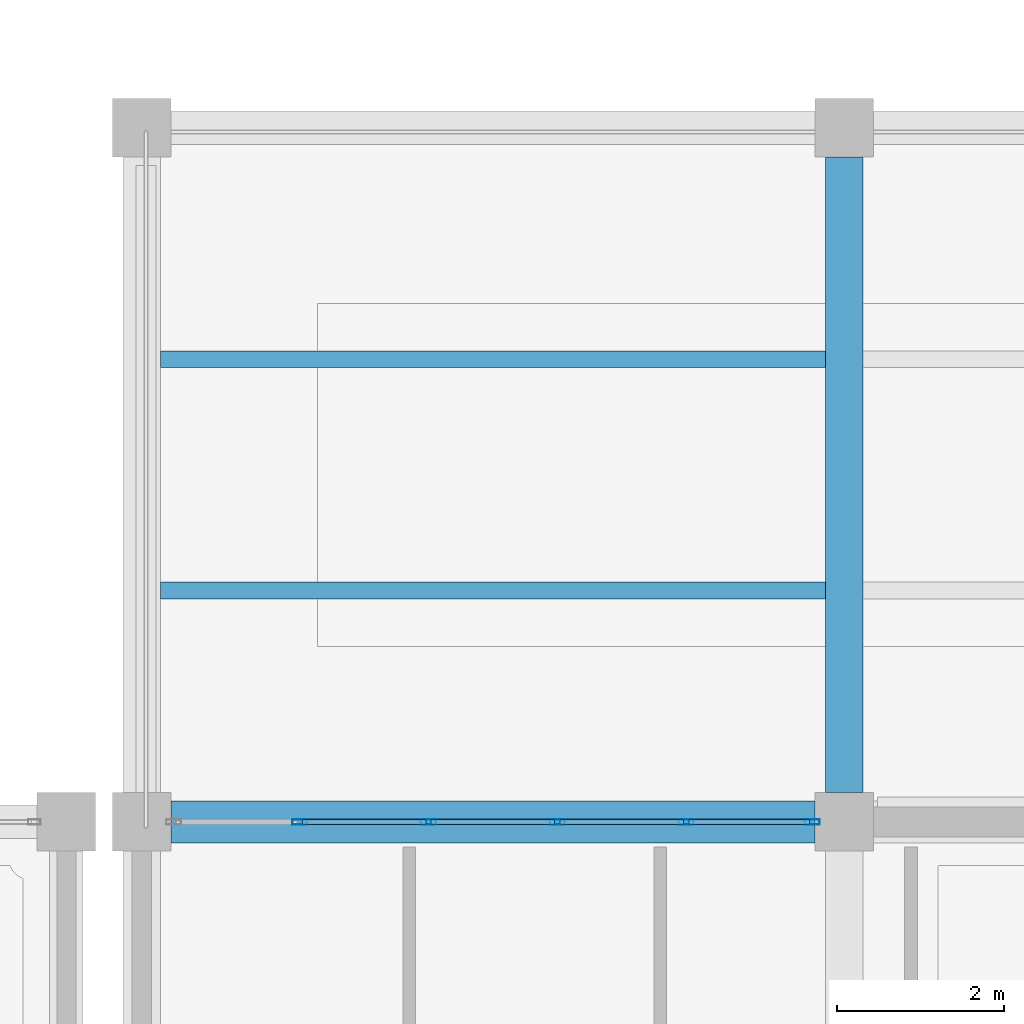
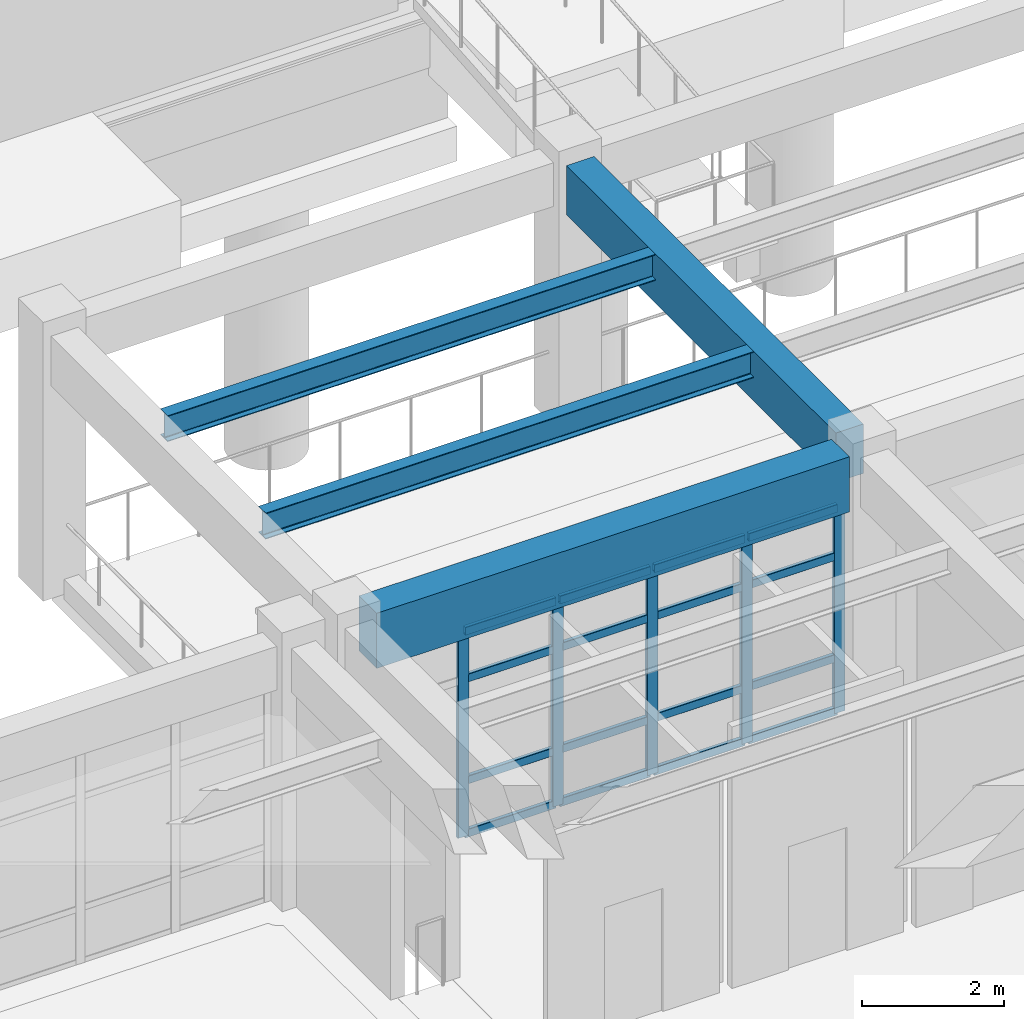
# One storey, part 30 of 98: 21 members, 4 beams, 1 element without a shape of its own.
"""IFC4 building model written with IfcOpenShell, lengths in metres."""

from ifc_helpers import new_model, si_unit, direction, frame, origin, origin_2d, place, context, subcontext, project, spatial, rectangle, hollow_rectangle, i_section, extrude, material, material_profile, profile_set, type_object, element, aggregate, save


model = new_model("IFC4")

# Units and contexts
model_context = context("Model", 3, precision=1e-05, world=origin(), true_north=direction((0.0, 1.0)))
body_context = subcontext(model_context, "Body", "Model", "MODEL_VIEW")
ifc_project = project(units=[si_unit("LENGTHUNIT", "METRE"), si_unit("AREAUNIT", "SQUARE_METRE"), si_unit("VOLUMEUNIT", "CUBIC_METRE"), si_unit("PLANEANGLEUNIT", "RADIAN"), si_unit("MASSUNIT", "GRAM", prefix="KILO")], contexts=[model_context])

# Site, building, storey
site_placement = place(None, origin())
site = spatial("IfcSite", under=ifc_project, at=site_placement, CompositionType="ELEMENT")
building_placement = place(site_placement, origin())
building = spatial("IfcBuilding", under=site, at=building_placement, Name="Canglan Escarpment Cableway Terminal", CompositionType="ELEMENT")
storey_placement = place(building_placement, frame((0.0, 0.0, 9.60009765625)))
storey = spatial("IfcBuildingStorey", under=building, at=storey_placement, Name="L02", CompositionType="ELEMENT", Elevation=9.60009765625)

# Beams
ifc_material_1 = material(Name="Concrete C40", Category="concrete")
ifc_material_profile_1 = material_profile(ifc_material_1, rectangle(XDim=0.449951171875, YDim=0.85009765625, at=origin_2d()), Name="RC 450x850")
ifc_profile_set_1 = profile_set([ifc_material_profile_1], Name="Concrete C40")
beam_type_1 = type_object("IfcBeamType", Name="BM-RC450x850", PredefinedType="BEAM", material=ifc_profile_set_1)
beam_1_placement = place(storey_placement, frame((119.89990234375, 25.14990234375, 4.094970703125), z_axis=(0.0, 1.0, 0.0), x_axis=(-1.0, 0.0, 0.0)))
element("IfcBeam", 1, at=beam_1_placement, inside=storey, type_object=beam_type_1, Name="Primary transverse girder B-02", PredefinedType="BEAM", context=body_context, shape_type="SweptSolid", body=[
    extrude(rectangle(XDim=0.449951171875, YDim=0.85009765625, at=origin_2d()), origin(), (0.0, 0.0, 1.0), 7.60009765625),
])
ifc_material_2 = material(Name="Concrete C50", Category="concrete")
ifc_material_profile_2 = material_profile(ifc_material_2, rectangle(XDim=0.5, YDim=0.949951171875, at=origin_2d()), Name="RC 500x950")
ifc_profile_set_2 = profile_set([ifc_material_profile_2], Name="Concrete C50")
beam_type_2 = type_object("IfcBeamType", Name="BM-RC500x950", PredefinedType="BEAM", material=ifc_profile_set_2)
beam_2_placement = place(storey_placement, frame((111.85009765625, 24.800048828125, 4.044921875), z_axis=(1.0, 0.0, 0.0), x_axis=(0.0, 1.0, 0.0)))
element("IfcBeam", 2, at=beam_2_placement, inside=storey, type_object=beam_type_2, Name="Primary structural girder B-01", PredefinedType="BEAM", context=body_context, shape_type="SweptSolid", body=[
    extrude(rectangle(XDim=0.5, YDim=0.949951171875, at=origin_2d()), origin(), (0.0, 0.0, 1.0), 7.699951171875),
])

# Curtain wall, members
ifc_material_3 = material(Name="Anodized bronze aluminium and Low-E double glazing", Category="aluminium")
curtain_wall_type = type_object("IfcCurtainWallType", Name="CW-BAY-7700x3550", PredefinedType="NOTDEFINED", material=ifc_material_3)
curtain_wall_placement = place(storey_placement, origin())
curtain_wall = element("IfcCurtainWall", 3, at=curtain_wall_placement, inside=storey, type_object=curtain_wall_type, Name="Classical bay-between-piers glazed curtain wall CW-15", PredefinedType="NOTDEFINED")
ifc_material_4 = material(Name="Thermally broken anodized aluminium 6063-T6", Category="aluminium")
ifc_material_profile_3 = material_profile(ifc_material_4, hollow_rectangle(XDim=0.06494140625, YDim=0.179931640625, WallThickness=0.00390625, InnerFilletRadius=0.00390625, OuterFilletRadius=0.008056640625, at=origin_2d()), Name="ALU-MULL 65x180x4")
ifc_profile_set_3 = profile_set([ifc_material_profile_3], Name="Thermally broken anodized aluminium 6063-T6")
member_type_1 = type_object("IfcMemberType", Name="CWM-03", PredefinedType="MULLION", material=ifc_profile_set_3)
member_1_placement = place(storey_placement, frame((119.517578125, 24.800048828125, 0.0), z_axis=(0.0, 0.0, 1.0), x_axis=(0.0, -1.0, 0.0)))
member_1 = element("IfcMember", 4, at=member_1_placement, type_object=member_type_1, Name="CW-15 mullion 1", PredefinedType="MULLION", context=body_context, shape_type="SweptSolid", body=[
    extrude(hollow_rectangle(XDim=0.06494140625, YDim=0.179931640625, WallThickness=0.00390625, InnerFilletRadius=0.00390625, OuterFilletRadius=0.008056640625, at=origin_2d()), origin(), (0.0, 0.0, 1.0), 3.554931640625),
])
member_2_placement = place(storey_placement, frame((118.010009765625, 24.800048828125, 0.0), z_axis=(0.0, 0.0, 1.0), x_axis=(0.0, -1.0, 0.0)))
member_2 = element("IfcMember", 5, at=member_2_placement, type_object=member_type_1, Name="CW-15 mullion 2", PredefinedType="MULLION", context=body_context, shape_type="SweptSolid", body=[
    extrude(hollow_rectangle(XDim=0.06494140625, YDim=0.179931640625, WallThickness=0.00390625, InnerFilletRadius=0.00390625, OuterFilletRadius=0.008056640625, at=origin_2d()), origin(), (0.0, 0.0, 1.0), 3.554931640625),
])
member_3_placement = place(storey_placement, frame((116.469970703125, 24.800048828125, 0.0), z_axis=(0.0, 0.0, 1.0), x_axis=(0.0, -1.0, 0.0)))
member_3 = element("IfcMember", 6, at=member_3_placement, type_object=member_type_1, Name="CW-15 mullion 3", PredefinedType="MULLION", context=body_context, shape_type="SweptSolid", body=[
    extrude(hollow_rectangle(XDim=0.06494140625, YDim=0.179931640625, WallThickness=0.00390625, InnerFilletRadius=0.00390625, OuterFilletRadius=0.008056640625, at=origin_2d()), origin(), (0.0, 0.0, 1.0), 3.554931640625),
])
member_4_placement = place(storey_placement, frame((114.929931640625, 24.800048828125, 0.0), z_axis=(0.0, 0.0, 1.0), x_axis=(0.0, -1.0, 0.0)))
member_4 = element("IfcMember", 7, at=member_4_placement, type_object=member_type_1, Name="CW-15 mullion 4", PredefinedType="MULLION", context=body_context, shape_type="SweptSolid", body=[
    extrude(hollow_rectangle(XDim=0.06494140625, YDim=0.179931640625, WallThickness=0.00390625, InnerFilletRadius=0.00390625, OuterFilletRadius=0.008056640625, at=origin_2d()), origin(), (0.0, 0.0, 1.0), 3.554931640625),
])
member_5_placement = place(storey_placement, frame((113.389892578125, 24.800048828125, 0.0), z_axis=(0.0, 0.0, 1.0), x_axis=(0.0, -1.0, 0.0)))
member_5 = element("IfcMember", 8, at=member_5_placement, type_object=member_type_1, Name="CW-15 mullion 5", PredefinedType="MULLION", context=body_context, shape_type="SweptSolid", body=[
    extrude(hollow_rectangle(XDim=0.06494140625, YDim=0.179931640625, WallThickness=0.00390625, InnerFilletRadius=0.00390625, OuterFilletRadius=0.008056640625, at=origin_2d()), origin(), (0.0, 0.0, 1.0), 3.554931640625),
])
ifc_material_profile_4 = material_profile(ifc_material_4, hollow_rectangle(XDim=0.06494140625, YDim=0.139892578125, WallThickness=0.00341796875, InnerFilletRadius=0.00341796875, OuterFilletRadius=0.007080078125, at=origin_2d()), Name="ALU-TRAN 65x140x3.5")
ifc_profile_set_4 = profile_set([ifc_material_profile_4], Name="Thermally broken anodized aluminium 6063-T6")
member_type_2 = type_object("IfcMemberType", Name="CWT-03", PredefinedType="USERDEFINED", material=ifc_profile_set_4)
member_6_placement = place(storey_placement, frame((119.485107421875, 24.800048828125, 0.032470703125), z_axis=(-1.0, 0.0, 0.0), x_axis=(0.0, -1.0, 0.0)))
member_6 = element("IfcMember", 9, at=member_6_placement, type_object=member_type_2, Name="CW-15 transom 1.1", ObjectType="TRANSOM", PredefinedType="USERDEFINED", context=body_context, shape_type="SweptSolid", body=[
    extrude(hollow_rectangle(XDim=0.06494140625, YDim=0.139892578125, WallThickness=0.00341796875, InnerFilletRadius=0.00341796875, OuterFilletRadius=0.007080078125, at=origin_2d()), origin(), (0.0, 0.0, 1.0), 1.442626953125),
])
member_7_placement = place(storey_placement, frame((119.485107421875, 24.800048828125, 0.949951171875), z_axis=(-1.0, 0.0, 0.0), x_axis=(0.0, -1.0, 0.0)))
member_7 = element("IfcMember", 10, at=member_7_placement, type_object=member_type_2, Name="CW-15 transom 1.2", ObjectType="TRANSOM", PredefinedType="USERDEFINED", context=body_context, shape_type="SweptSolid", body=[
    extrude(hollow_rectangle(XDim=0.06494140625, YDim=0.139892578125, WallThickness=0.00341796875, InnerFilletRadius=0.00341796875, OuterFilletRadius=0.007080078125, at=origin_2d()), origin(), (0.0, 0.0, 1.0), 1.442626953125),
])
member_8_placement = place(storey_placement, frame((119.485107421875, 24.800048828125, 2.704833984375), z_axis=(-1.0, 0.0, 0.0), x_axis=(0.0, -1.0, 0.0)))
member_8 = element("IfcMember", 11, at=member_8_placement, type_object=member_type_2, Name="CW-15 transom 1.3", ObjectType="TRANSOM", PredefinedType="USERDEFINED", context=body_context, shape_type="SweptSolid", body=[
    extrude(hollow_rectangle(XDim=0.06494140625, YDim=0.139892578125, WallThickness=0.00341796875, InnerFilletRadius=0.00341796875, OuterFilletRadius=0.007080078125, at=origin_2d()), origin(), (0.0, 0.0, 1.0), 1.442626953125),
])
member_9_placement = place(storey_placement, frame((119.485107421875, 24.800048828125, 3.5224609375), z_axis=(-1.0, 0.0, 0.0), x_axis=(0.0, -1.0, 0.0)))
member_9 = element("IfcMember", 12, at=member_9_placement, type_object=member_type_2, Name="CW-15 transom 1.4", ObjectType="TRANSOM", PredefinedType="USERDEFINED", context=body_context, shape_type="SweptSolid", body=[
    extrude(hollow_rectangle(XDim=0.06494140625, YDim=0.139892578125, WallThickness=0.00341796875, InnerFilletRadius=0.00341796875, OuterFilletRadius=0.007080078125, at=origin_2d()), origin(), (0.0, 0.0, 1.0), 1.442626953125),
])
member_10_placement = place(storey_placement, frame((117.9775390625, 24.800048828125, 0.032470703125), z_axis=(-1.0, 0.0, 0.0), x_axis=(0.0, -1.0, 0.0)))
member_10 = element("IfcMember", 13, at=member_10_placement, type_object=member_type_2, Name="CW-15 transom 2.1", ObjectType="TRANSOM", PredefinedType="USERDEFINED", context=body_context, shape_type="SweptSolid", body=[
    extrude(hollow_rectangle(XDim=0.06494140625, YDim=0.139892578125, WallThickness=0.00341796875, InnerFilletRadius=0.00341796875, OuterFilletRadius=0.007080078125, at=origin_2d()), origin(), (0.0, 0.0, 1.0), 1.47509765625),
])
member_11_placement = place(storey_placement, frame((117.9775390625, 24.800048828125, 0.949951171875), z_axis=(-1.0, 0.0, 0.0), x_axis=(0.0, -1.0, 0.0)))
member_11 = element("IfcMember", 14, at=member_11_placement, type_object=member_type_2, Name="CW-15 transom 2.2", ObjectType="TRANSOM", PredefinedType="USERDEFINED", context=body_context, shape_type="SweptSolid", body=[
    extrude(hollow_rectangle(XDim=0.06494140625, YDim=0.139892578125, WallThickness=0.00341796875, InnerFilletRadius=0.00341796875, OuterFilletRadius=0.007080078125, at=origin_2d()), origin(), (0.0, 0.0, 1.0), 1.47509765625),
])
member_12_placement = place(storey_placement, frame((117.9775390625, 24.800048828125, 2.704833984375), z_axis=(-1.0, 0.0, 0.0), x_axis=(0.0, -1.0, 0.0)))
member_12 = element("IfcMember", 15, at=member_12_placement, type_object=member_type_2, Name="CW-15 transom 2.3", ObjectType="TRANSOM", PredefinedType="USERDEFINED", context=body_context, shape_type="SweptSolid", body=[
    extrude(hollow_rectangle(XDim=0.06494140625, YDim=0.139892578125, WallThickness=0.00341796875, InnerFilletRadius=0.00341796875, OuterFilletRadius=0.007080078125, at=origin_2d()), origin(), (0.0, 0.0, 1.0), 1.47509765625),
])
member_13_placement = place(storey_placement, frame((117.9775390625, 24.800048828125, 3.5224609375), z_axis=(-1.0, 0.0, 0.0), x_axis=(0.0, -1.0, 0.0)))
member_13 = element("IfcMember", 16, at=member_13_placement, type_object=member_type_2, Name="CW-15 transom 2.4", ObjectType="TRANSOM", PredefinedType="USERDEFINED", context=body_context, shape_type="SweptSolid", body=[
    extrude(hollow_rectangle(XDim=0.06494140625, YDim=0.139892578125, WallThickness=0.00341796875, InnerFilletRadius=0.00341796875, OuterFilletRadius=0.007080078125, at=origin_2d()), origin(), (0.0, 0.0, 1.0), 1.47509765625),
])
member_14_placement = place(storey_placement, frame((116.4375, 24.800048828125, 0.032470703125), z_axis=(-1.0, 0.0, 0.0), x_axis=(0.0, -1.0, 0.0)))
member_14 = element("IfcMember", 17, at=member_14_placement, type_object=member_type_2, Name="CW-15 transom 3.1", ObjectType="TRANSOM", PredefinedType="USERDEFINED", context=body_context, shape_type="SweptSolid", body=[
    extrude(hollow_rectangle(XDim=0.06494140625, YDim=0.139892578125, WallThickness=0.00341796875, InnerFilletRadius=0.00341796875, OuterFilletRadius=0.007080078125, at=origin_2d()), origin(), (0.0, 0.0, 1.0), 1.47509765625),
])
member_15_placement = place(storey_placement, frame((116.4375, 24.800048828125, 0.949951171875), z_axis=(-1.0, 0.0, 0.0), x_axis=(0.0, -1.0, 0.0)))
member_15 = element("IfcMember", 18, at=member_15_placement, type_object=member_type_2, Name="CW-15 transom 3.2", ObjectType="TRANSOM", PredefinedType="USERDEFINED", context=body_context, shape_type="SweptSolid", body=[
    extrude(hollow_rectangle(XDim=0.06494140625, YDim=0.139892578125, WallThickness=0.00341796875, InnerFilletRadius=0.00341796875, OuterFilletRadius=0.007080078125, at=origin_2d()), origin(), (0.0, 0.0, 1.0), 1.47509765625),
])
member_16_placement = place(storey_placement, frame((116.4375, 24.800048828125, 2.704833984375), z_axis=(-1.0, 0.0, 0.0), x_axis=(0.0, -1.0, 0.0)))
member_16 = element("IfcMember", 19, at=member_16_placement, type_object=member_type_2, Name="CW-15 transom 3.3", ObjectType="TRANSOM", PredefinedType="USERDEFINED", context=body_context, shape_type="SweptSolid", body=[
    extrude(hollow_rectangle(XDim=0.06494140625, YDim=0.139892578125, WallThickness=0.00341796875, InnerFilletRadius=0.00341796875, OuterFilletRadius=0.007080078125, at=origin_2d()), origin(), (0.0, 0.0, 1.0), 1.47509765625),
])
member_17_placement = place(storey_placement, frame((116.4375, 24.800048828125, 3.5224609375), z_axis=(-1.0, 0.0, 0.0), x_axis=(0.0, -1.0, 0.0)))
member_17 = element("IfcMember", 20, at=member_17_placement, type_object=member_type_2, Name="CW-15 transom 3.4", ObjectType="TRANSOM", PredefinedType="USERDEFINED", context=body_context, shape_type="SweptSolid", body=[
    extrude(hollow_rectangle(XDim=0.06494140625, YDim=0.139892578125, WallThickness=0.00341796875, InnerFilletRadius=0.00341796875, OuterFilletRadius=0.007080078125, at=origin_2d()), origin(), (0.0, 0.0, 1.0), 1.47509765625),
])
member_18_placement = place(storey_placement, frame((114.8974609375, 24.800048828125, 0.032470703125), z_axis=(-1.0, 0.0, 0.0), x_axis=(0.0, -1.0, 0.0)))
member_18 = element("IfcMember", 21, at=member_18_placement, type_object=member_type_2, Name="CW-15 transom 4.1", ObjectType="TRANSOM", PredefinedType="USERDEFINED", context=body_context, shape_type="SweptSolid", body=[
    extrude(hollow_rectangle(XDim=0.06494140625, YDim=0.139892578125, WallThickness=0.00341796875, InnerFilletRadius=0.00341796875, OuterFilletRadius=0.007080078125, at=origin_2d()), origin(), (0.0, 0.0, 1.0), 1.474853515625),
])
member_19_placement = place(storey_placement, frame((114.8974609375, 24.800048828125, 0.949951171875), z_axis=(-1.0, 0.0, 0.0), x_axis=(0.0, -1.0, 0.0)))
member_19 = element("IfcMember", 22, at=member_19_placement, type_object=member_type_2, Name="CW-15 transom 4.2", ObjectType="TRANSOM", PredefinedType="USERDEFINED", context=body_context, shape_type="SweptSolid", body=[
    extrude(hollow_rectangle(XDim=0.06494140625, YDim=0.139892578125, WallThickness=0.00341796875, InnerFilletRadius=0.00341796875, OuterFilletRadius=0.007080078125, at=origin_2d()), origin(), (0.0, 0.0, 1.0), 1.474853515625),
])
member_20_placement = place(storey_placement, frame((114.8974609375, 24.800048828125, 2.704833984375), z_axis=(-1.0, 0.0, 0.0), x_axis=(0.0, -1.0, 0.0)))
member_20 = element("IfcMember", 23, at=member_20_placement, type_object=member_type_2, Name="CW-15 transom 4.3", ObjectType="TRANSOM", PredefinedType="USERDEFINED", context=body_context, shape_type="SweptSolid", body=[
    extrude(hollow_rectangle(XDim=0.06494140625, YDim=0.139892578125, WallThickness=0.00341796875, InnerFilletRadius=0.00341796875, OuterFilletRadius=0.007080078125, at=origin_2d()), origin(), (0.0, 0.0, 1.0), 1.474853515625),
])
member_21_placement = place(storey_placement, frame((114.8974609375, 24.800048828125, 3.5224609375), z_axis=(-1.0, 0.0, 0.0), x_axis=(0.0, -1.0, 0.0)))
member_21 = element("IfcMember", 24, at=member_21_placement, type_object=member_type_2, Name="CW-15 transom 4.4", ObjectType="TRANSOM", PredefinedType="USERDEFINED", context=body_context, shape_type="SweptSolid", body=[
    extrude(hollow_rectangle(XDim=0.06494140625, YDim=0.139892578125, WallThickness=0.00341796875, InnerFilletRadius=0.00341796875, OuterFilletRadius=0.007080078125, at=origin_2d()), origin(), (0.0, 0.0, 1.0), 1.474853515625),
])
aggregate(curtain_wall, [member_1, member_2, member_3, member_4, member_5, member_6, member_7, member_8, member_9, member_10, member_11, member_12, member_13, member_14, member_15, member_16, member_17, member_18, member_19, member_20, member_21])

# Beams
ifc_material_5 = material(Name="Steel Q355B", Category="steel")
ifc_material_profile_5 = material_profile(ifc_material_5, i_section(OverallWidth=0.199951171875, OverallDepth=0.449951171875, WebThickness=0.009033203125, FlangeThickness=0.013916015625, FilletRadius=0.01806640625, at=origin_2d()), Name="HN 450x200x9x14")
ifc_profile_set_5 = profile_set([ifc_material_profile_5], Name="Steel Q355B")
beam_type_3 = type_object("IfcBeamType", Name="JS-HN450", PredefinedType="JOIST", material=ifc_profile_set_5)
for number, where, z_axis, x_axis, name in (
    (25, (111.72509765625, 27.566650390625, 4.294921875), (1.0, 0.0, 0.0), (0.0, 1.0, 0.0), "Secondary composite deck joist J-02"),
    (26, (111.72509765625, 30.333251953125, 4.294921875), (1.0, 0.0, 0.0), (0.0, 1.0, 0.0), "Secondary composite deck joist J-02"),
):
    element("IfcBeam", number, at=place(storey_placement, frame(where, z_axis=z_axis, x_axis=x_axis)), inside=storey, type_object=beam_type_3, Name=name, PredefinedType="JOIST", context=body_context, shape_type="SweptSolid", body=[
        extrude(i_section(OverallWidth=0.199951171875, OverallDepth=0.449951171875, WebThickness=0.009033203125, FlangeThickness=0.013916015625, FilletRadius=0.01806640625, at=origin_2d()), origin(), (0.0, 0.0, 1.0), 7.949951171875),
    ])

save(model, "model.ifc")
